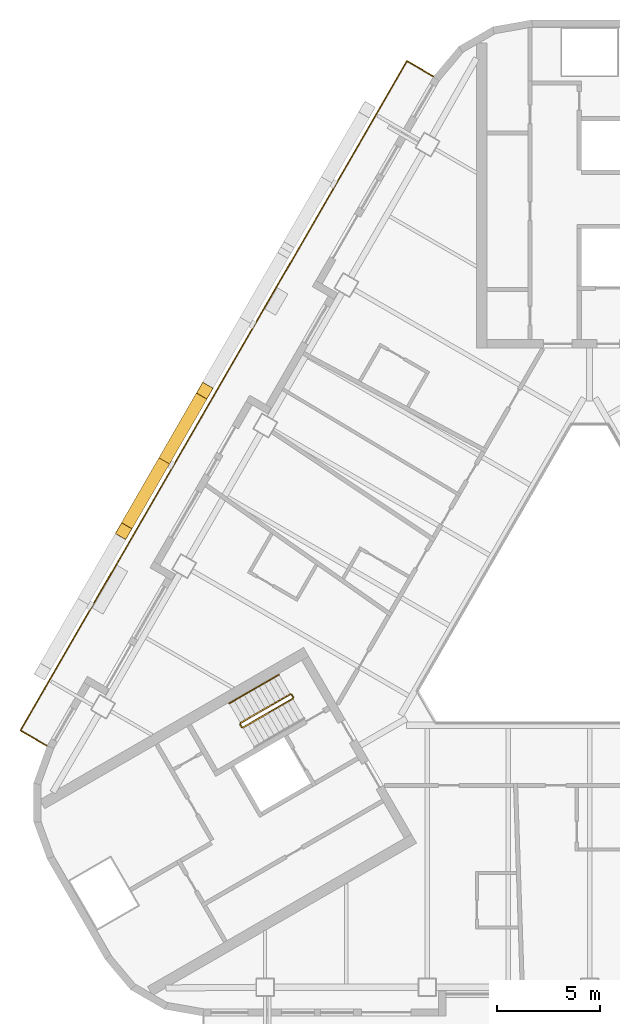
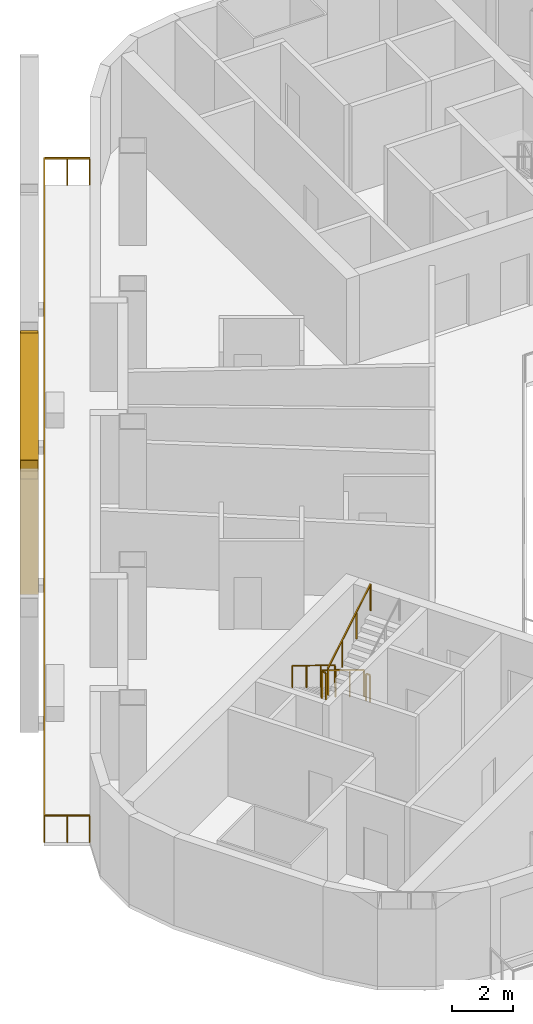
# One storey, part 10 of 14: 6 railings, 2 shading devices.
"""IFC4 building model written with IfcOpenShell, lengths in metres."""

from ifc_helpers import new_model, si_unit, direction, frame, origin, origin_2d, place, context, subcontext, project, spatial, rectangle, hollow_rectangle, circle, extrude, material, material_profile, profile_set, type_object, element, save


model = new_model("IFC4")

# Units and contexts
model_context = context("Model", 3, precision=1e-05, world=origin(), true_north=direction((0.0, 1.0)))
body_context = subcontext(model_context, "Body", "Model", "MODEL_VIEW")
ifc_project = project(units=[si_unit("LENGTHUNIT", "METRE"), si_unit("AREAUNIT", "SQUARE_METRE"), si_unit("VOLUMEUNIT", "CUBIC_METRE"), si_unit("PLANEANGLEUNIT", "RADIAN"), si_unit("MASSUNIT", "GRAM", prefix="KILO")], contexts=[model_context])

# Site, building, storey
site_placement = place(None, origin())
site = spatial("IfcSite", under=ifc_project, at=site_placement, CompositionType="ELEMENT")
building_placement = place(site_placement, origin())
building = spatial("IfcBuilding", under=site, at=building_placement, Name="Apuvela Tower Hotel", CompositionType="ELEMENT")
storey_placement = place(building_placement, frame((0.0, 0.0, 98.300048828125)))
storey = spatial("IfcBuildingStorey", under=building, at=storey_placement, Name="L22", CompositionType="ELEMENT", Elevation=98.300048828125)

# Railings
ifc_material_1 = material(Name="Steel S275 balustrade", Category="steel")
railing_type_1 = type_object("IfcRailingType", Name="COR-GUARD-1100", PredefinedType="GUARDRAIL", material=ifc_material_1)
railing_1_placement = place(storey_placement, frame((-14.569091796875, -3.9658203125, 0.168212890625)))
element("IfcRailing", 1, at=railing_1_placement, inside=storey, type_object=railing_type_1, Name="L22 ST2 stair guard 1", PredefinedType="GUARDRAIL", context=body_context, shape_type="SweptSolid", body=[
    extrude(rectangle(XDim=0.048095703125, YDim=0.048095703125, at=origin_2d()), frame((0.0, 0.0, 1.076171875), z_axis=(-0.74241905619, -0.428617687091, 0.514879426), x_axis=(0.49998411664, -0.866034573852, 0.0)), (0.0, 0.0, 1.0), 3.26611328125),
    extrude(rectangle(XDim=0.0419921875, YDim=0.0419921875, at=origin_2d()), origin(), (0.0, 0.0, 1.0), 1.052001953125),
    extrude(rectangle(XDim=0.0419921875, YDim=0.0419921875, at=origin_2d()), frame((-0.808349609375, -0.466552734375, 0.560546875)), (0.0, 0.0, 1.0), 1.052001953125),
    extrude(rectangle(XDim=0.0419921875, YDim=0.0419921875, at=origin_2d()), frame((-1.616455078125, -0.933349609375, 1.12109375)), (0.0, 0.0, 1.0), 1.052001953125),
    extrude(rectangle(XDim=0.0419921875, YDim=0.0419921875, at=origin_2d()), frame((-2.4248046875, -1.39990234375, 1.681640625)), (0.0, 0.0, 1.0), 1.052001953125),
])
railing_2_placement = place(storey_placement, frame((-17.01220703125, -5.43408203125, 1.849853515625)))
element("IfcRailing", 2, at=railing_2_placement, inside=storey, type_object=railing_type_1, Name="L22 ST2 stair guard 2", PredefinedType="GUARDRAIL", context=body_context, shape_type="SweptSolid", body=[
    extrude(rectangle(XDim=0.048095703125, YDim=0.048095703125, at=origin_2d()), frame((0.0, 0.0, 1.076171875), z_axis=(0.499816412211, -0.866131372301, 0.0), x_axis=(0.866131372301, 0.499816412211, 0.0)), (0.0, 0.0, 1.0), 0.14990234375),
    extrude(rectangle(XDim=0.0419921875, YDim=0.0419921875, at=origin_2d()), origin(), (0.0, 0.0, 1.0), 1.052001953125),
    extrude(rectangle(XDim=0.0419921875, YDim=0.0419921875, at=origin_2d()), frame((0.074951171875, -0.1298828125, 0.0)), (0.0, 0.0, 1.0), 1.052001953125),
])
railing_3_placement = place(storey_placement, frame((-16.868896484375, -5.582275390625, 2.01806640625)))
element("IfcRailing", 3, at=railing_3_placement, inside=storey, type_object=railing_type_1, Name="L22 ST2 stair guard 3", PredefinedType="GUARDRAIL", context=body_context, shape_type="SweptSolid", body=[
    extrude(rectangle(XDim=0.048095703125, YDim=0.048095703125, at=origin_2d()), frame((0.0, 0.0, 1.076171875), z_axis=(0.742390482028, 0.42860119049, 0.514934356695), x_axis=(-0.49998411664, 0.866034573852, 0.0)), (0.0, 0.0, 1.0), 3.26611328125),
    extrude(rectangle(XDim=0.0419921875, YDim=0.0419921875, at=origin_2d()), origin(), (0.0, 0.0, 1.0), 1.052001953125),
    extrude(rectangle(XDim=0.0419921875, YDim=0.0419921875, at=origin_2d()), frame((0.808349609375, 0.466552734375, 0.560546875)), (0.0, 0.0, 1.0), 1.052001953125),
    extrude(rectangle(XDim=0.0419921875, YDim=0.0419921875, at=origin_2d()), frame((1.616455078125, 0.933349609375, 1.121337890625)), (0.0, 0.0, 1.0), 1.052001953125),
    extrude(rectangle(XDim=0.0419921875, YDim=0.0419921875, at=origin_2d()), frame((2.4248046875, 1.39990234375, 1.681884765625)), (0.0, 0.0, 1.0), 1.052001953125),
])
railing_4_placement = place(storey_placement, frame((-14.500732421875, -3.984130859375, 0.0)))
element("IfcRailing", 4, at=railing_4_placement, inside=storey, type_object=railing_type_1, Name="L22 ST2 stair guard 4", PredefinedType="GUARDRAIL", context=body_context, shape_type="SweptSolid", body=[
    extrude(rectangle(XDim=0.048095703125, YDim=0.048095703125, at=origin_2d()), frame((0.0, 0.0, 1.076171875), z_axis=(0.499816412211, -0.866131372301, 0.0), x_axis=(0.866131372301, 0.499816412211, 0.0)), (0.0, 0.0, 1.0), 0.14990234375),
    extrude(rectangle(XDim=0.0419921875, YDim=0.0419921875, at=origin_2d()), origin(), (0.0, 0.0, 1.0), 1.052001953125),
    extrude(rectangle(XDim=0.0419921875, YDim=0.0419921875, at=origin_2d()), frame((0.074951171875, -0.1298828125, 0.0)), (0.0, 0.0, 1.0), 1.052001953125),
])
ifc_material_2 = material(Name="Stainless steel 316 handrail", Category="steel")
railing_type_2 = type_object("IfcRailingType", Name="COR-HANDRAIL-900", PredefinedType="HANDRAIL", material=ifc_material_2)
railing_5_placement = place(storey_placement, frame((-15.118896484375, -3.01318359375, 0.168212890625)))
element("IfcRailing", 5, at=railing_5_placement, inside=storey, type_object=railing_type_2, Name="L22 ST2 stair handrail 1", PredefinedType="HANDRAIL", context=body_context, shape_type="SweptSolid", body=[
    extrude(circle(Radius=0.02392578125, at=origin_2d()), frame((0.0, 0.0, 0.8759765625), z_axis=(-0.742452602333, -0.428593901316, 0.514850853203), x_axis=(0.49994636267, -0.866056369097, 0.0)), (0.0, 0.0, 1.0), 3.266357421875),
    extrude(rectangle(XDim=0.0419921875, YDim=0.0419921875, at=origin_2d()), origin(), (0.0, 0.0, 1.0), 0.851806640625),
    extrude(rectangle(XDim=0.0419921875, YDim=0.0419921875, at=origin_2d()), frame((-0.808349609375, -0.466552734375, 0.560546875)), (0.0, 0.0, 1.0), 0.851806640625),
    extrude(rectangle(XDim=0.0419921875, YDim=0.0419921875, at=origin_2d()), frame((-1.61669921875, -0.933349609375, 1.12109375)), (0.0, 0.0, 1.0), 0.851806640625),
    extrude(rectangle(XDim=0.0419921875, YDim=0.0419921875, at=origin_2d()), frame((-2.425048828125, -1.39990234375, 1.681640625)), (0.0, 0.0, 1.0), 0.851806640625),
])

# Shading devices
ifc_material_3 = material(Name="Aluminium 6063-T6, black anodised", Category="aluminium")
ifc_material_profile = material_profile(ifc_material_3, hollow_rectangle(XDim=0.60009765625, YDim=0.699951171875, WallThickness=0.011962890625, at=origin_2d()), Name="AL BOX 700x600x12")
ifc_profile_set = profile_set([ifc_material_profile], Name="Aluminium 6063-T6, black anodised")
shading_device_type = type_object("IfcShadingDeviceType", Name="ENV-FIN-700x600", PredefinedType="USERDEFINED", material=ifc_profile_set)
shading_device_1_placement = place(storey_placement, frame((-20.70703125, 7.394287109375, -0.10009765625), z_axis=(0.235430342887, 0.407790151341, 0.882201647084), x_axis=(-0.866032218625, 0.499988196164, 0.0)))
element("IfcShadingDevice", 6, at=shading_device_1_placement, inside=storey, type_object=shading_device_type, Name="Lattice fin NW253", ObjectType="FIN", PredefinedType="USERDEFINED", context=body_context, shape_type="SweptSolid", body=[
    extrude(hollow_rectangle(XDim=0.60009765625, YDim=0.699951171875, WallThickness=0.011962890625, at=origin_2d()), origin(), (0.0, 0.0, 1.0), 8.38818359375),
])
shading_device_2_placement = place(storey_placement, frame((-20.70703125, 7.394287109375, -0.10009765625), z_axis=(-0.235455039791, -0.407811621453, 0.882185131163), x_axis=(0.866020906874, -0.500007788796, 0.0)))
element("IfcShadingDevice", 7, at=shading_device_2_placement, inside=storey, type_object=shading_device_type, Name="Lattice fin NW254", ObjectType="FIN", PredefinedType="USERDEFINED", context=body_context, shape_type="SweptSolid", body=[
    extrude(hollow_rectangle(XDim=0.60009765625, YDim=0.699951171875, WallThickness=0.011962890625, at=origin_2d()), origin(), (0.0, 0.0, 1.0), 8.388427734375),
])

# Railing
ifc_material_4 = material(Name="Stainless steel 316 rail with laminated glass infill", Category="steel")
railing_type_3 = type_object("IfcRailingType", Name="ENV-GUARD-1100", PredefinedType="GUARDRAIL", material=ifc_material_4)
railing_6_placement = place(storey_placement, frame((-7.59228515625, 26.110107421875, 0.0)))
element("IfcRailing", 8, at=railing_6_placement, inside=storey, type_object=railing_type_3, Name="Balcony guard NW L22", PredefinedType="GUARDRAIL", context=body_context, shape_type="SweptSolid", body=[
    extrude(rectangle(XDim=0.050048828125, YDim=0.050048828125, at=origin_2d()), frame((0.0, 0.0, 1.0751953125), z_axis=(-0.86599040064, 0.500060622324, 0.0), x_axis=(-0.500060622324, -0.86599040064, 0.0)), (0.0, 0.0, 1.0), 1.499755859375),
    extrude(rectangle(XDim=0.050048828125, YDim=0.050048828125, at=origin_2d()), frame((-1.298828125, 0.75, 1.0751953125), z_axis=(-0.500000437506, -0.86602515119, 0.0), x_axis=(0.86602515119, -0.500000437506, 0.0)), (0.0, 0.0, 1.0), 37.6318359375),
    extrude(rectangle(XDim=0.050048828125, YDim=0.050048828125, at=origin_2d()), frame((-20.11474609375, -31.840087890625, 1.0751953125), z_axis=(0.866031096941, -0.499990139034, 0.0), x_axis=(0.499990139034, 0.866031096941, 0.0)), (0.0, 0.0, 1.0), 1.5),
    extrude(rectangle(XDim=0.0400390625, YDim=0.0400390625, at=origin_2d()), origin(), (0.0, 0.0, 1.0), 1.050048828125),
    extrude(rectangle(XDim=0.0400390625, YDim=0.0400390625, at=origin_2d()), frame((-0.6494140625, 0.375, 0.0)), (0.0, 0.0, 1.0), 1.050048828125),
    extrude(rectangle(XDim=0.0400390625, YDim=0.0400390625, at=origin_2d()), frame((-1.298828125, 0.75, 0.0)), (0.0, 0.0, 1.0), 1.050048828125),
    extrude(rectangle(XDim=0.0400390625, YDim=0.0400390625, at=origin_2d()), frame((-1.88671875, -0.2685546875, 0.0)), (0.0, 0.0, 1.0), 1.050048828125),
    extrude(rectangle(XDim=0.0400390625, YDim=0.0400390625, at=origin_2d()), frame((-2.474853515625, -1.286865234375, 0.0)), (0.0, 0.0, 1.0), 1.050048828125),
    extrude(rectangle(XDim=0.0400390625, YDim=0.0400390625, at=origin_2d()), frame((-3.062744140625, -2.305419921875, 0.0)), (0.0, 0.0, 1.0), 1.050048828125),
    extrude(rectangle(XDim=0.0400390625, YDim=0.0400390625, at=origin_2d()), frame((-3.65087890625, -3.32373046875, 0.0)), (0.0, 0.0, 1.0), 1.050048828125),
    extrude(rectangle(XDim=0.0400390625, YDim=0.0400390625, at=origin_2d()), frame((-4.23876953125, -4.34228515625, 0.0)), (0.0, 0.0, 1.0), 1.050048828125),
    extrude(rectangle(XDim=0.0400390625, YDim=0.0400390625, at=origin_2d()), frame((-4.826904296875, -5.360595703125, 0.0)), (0.0, 0.0, 1.0), 1.050048828125),
    extrude(rectangle(XDim=0.0400390625, YDim=0.0400390625, at=origin_2d()), frame((-5.414794921875, -6.379150390625, 0.0)), (0.0, 0.0, 1.0), 1.050048828125),
    extrude(rectangle(XDim=0.0400390625, YDim=0.0400390625, at=origin_2d()), frame((-6.0029296875, -7.3974609375, 0.0)), (0.0, 0.0, 1.0), 1.050048828125),
    extrude(rectangle(XDim=0.0400390625, YDim=0.0400390625, at=origin_2d()), frame((-6.5908203125, -8.416015625, 0.0)), (0.0, 0.0, 1.0), 1.050048828125),
    extrude(rectangle(XDim=0.0400390625, YDim=0.0400390625, at=origin_2d()), frame((-7.1787109375, -9.434326171875, 0.0)), (0.0, 0.0, 1.0), 1.050048828125),
    extrude(rectangle(XDim=0.0400390625, YDim=0.0400390625, at=origin_2d()), frame((-7.766845703125, -10.452880859375, 0.0)), (0.0, 0.0, 1.0), 1.050048828125),
    extrude(rectangle(XDim=0.0400390625, YDim=0.0400390625, at=origin_2d()), frame((-8.354736328125, -11.47119140625, 0.0)), (0.0, 0.0, 1.0), 1.050048828125),
    extrude(rectangle(XDim=0.0400390625, YDim=0.0400390625, at=origin_2d()), frame((-8.94287109375, -12.48974609375, 0.0)), (0.0, 0.0, 1.0), 1.050048828125),
    extrude(rectangle(XDim=0.0400390625, YDim=0.0400390625, at=origin_2d()), frame((-9.53076171875, -13.508056640625, 0.0)), (0.0, 0.0, 1.0), 1.050048828125),
    extrude(rectangle(XDim=0.0400390625, YDim=0.0400390625, at=origin_2d()), frame((-10.118896484375, -14.526611328125, 0.0)), (0.0, 0.0, 1.0), 1.050048828125),
    extrude(rectangle(XDim=0.0400390625, YDim=0.0400390625, at=origin_2d()), frame((-10.706787109375, -15.544921875, 0.0)), (0.0, 0.0, 1.0), 1.050048828125),
    extrude(rectangle(XDim=0.0400390625, YDim=0.0400390625, at=origin_2d()), frame((-11.294677734375, -16.5634765625, 0.0)), (0.0, 0.0, 1.0), 1.050048828125),
    extrude(rectangle(XDim=0.0400390625, YDim=0.0400390625, at=origin_2d()), frame((-11.8828125, -17.58203125, 0.0)), (0.0, 0.0, 1.0), 1.050048828125),
    extrude(rectangle(XDim=0.0400390625, YDim=0.0400390625, at=origin_2d()), frame((-12.470703125, -18.600341796875, 0.0)), (0.0, 0.0, 1.0), 1.050048828125),
    extrude(rectangle(XDim=0.0400390625, YDim=0.0400390625, at=origin_2d()), frame((-13.058837890625, -19.618896484375, 0.0)), (0.0, 0.0, 1.0), 1.050048828125),
    extrude(rectangle(XDim=0.0400390625, YDim=0.0400390625, at=origin_2d()), frame((-13.646728515625, -20.63720703125, 0.0)), (0.0, 0.0, 1.0), 1.050048828125),
    extrude(rectangle(XDim=0.0400390625, YDim=0.0400390625, at=origin_2d()), frame((-14.23486328125, -21.65576171875, 0.0)), (0.0, 0.0, 1.0), 1.050048828125),
    extrude(rectangle(XDim=0.0400390625, YDim=0.0400390625, at=origin_2d()), frame((-14.82275390625, -22.674072265625, 0.0)), (0.0, 0.0, 1.0), 1.050048828125),
    extrude(rectangle(XDim=0.0400390625, YDim=0.0400390625, at=origin_2d()), frame((-15.41064453125, -23.692626953125, 0.0)), (0.0, 0.0, 1.0), 1.050048828125),
    extrude(rectangle(XDim=0.0400390625, YDim=0.0400390625, at=origin_2d()), frame((-15.998779296875, -24.7109375, 0.0)), (0.0, 0.0, 1.0), 1.050048828125),
    extrude(rectangle(XDim=0.0400390625, YDim=0.0400390625, at=origin_2d()), frame((-16.586669921875, -25.7294921875, 0.0)), (0.0, 0.0, 1.0), 1.050048828125),
    extrude(rectangle(XDim=0.0400390625, YDim=0.0400390625, at=origin_2d()), frame((-17.1748046875, -26.747802734375, 0.0)), (0.0, 0.0, 1.0), 1.050048828125),
    extrude(rectangle(XDim=0.0400390625, YDim=0.0400390625, at=origin_2d()), frame((-17.7626953125, -27.766357421875, 0.0)), (0.0, 0.0, 1.0), 1.050048828125),
    extrude(rectangle(XDim=0.0400390625, YDim=0.0400390625, at=origin_2d()), frame((-18.350830078125, -28.78466796875, 0.0)), (0.0, 0.0, 1.0), 1.050048828125),
    extrude(rectangle(XDim=0.0400390625, YDim=0.0400390625, at=origin_2d()), frame((-18.938720703125, -29.80322265625, 0.0)), (0.0, 0.0, 1.0), 1.050048828125),
    extrude(rectangle(XDim=0.0400390625, YDim=0.0400390625, at=origin_2d()), frame((-19.52685546875, -30.821533203125, 0.0)), (0.0, 0.0, 1.0), 1.050048828125),
    extrude(rectangle(XDim=0.0400390625, YDim=0.0400390625, at=origin_2d()), frame((-20.11474609375, -31.840087890625, 0.0)), (0.0, 0.0, 1.0), 1.050048828125),
    extrude(rectangle(XDim=0.0400390625, YDim=0.0400390625, at=origin_2d()), frame((-19.46533203125, -32.215087890625, 0.0)), (0.0, 0.0, 1.0), 1.050048828125),
    extrude(rectangle(XDim=0.0400390625, YDim=0.0400390625, at=origin_2d()), frame((-18.815673828125, -32.590087890625, 0.0)), (0.0, 0.0, 1.0), 1.050048828125),
])

save(model, "model.ifc")
